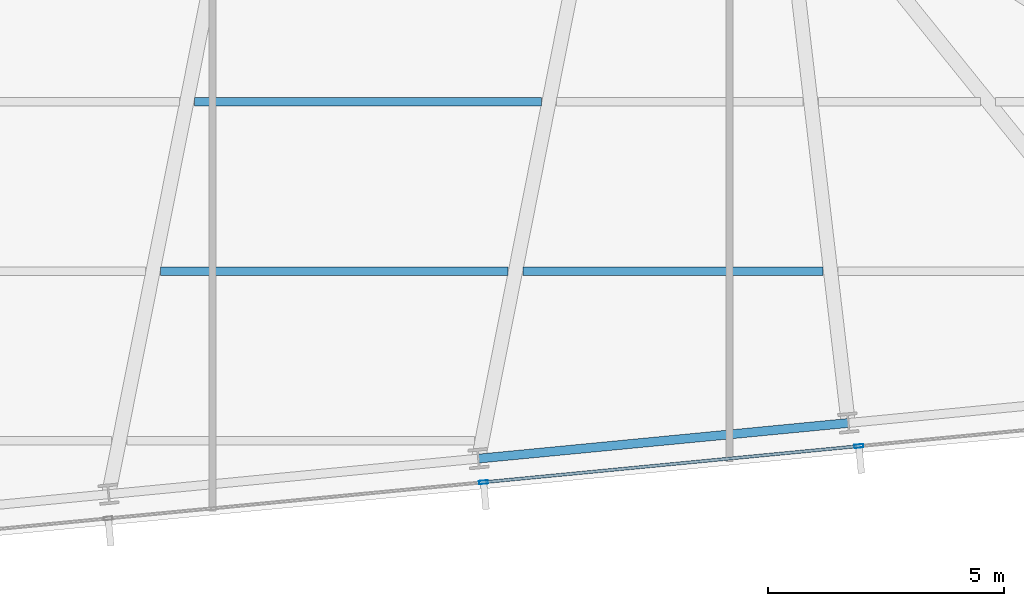
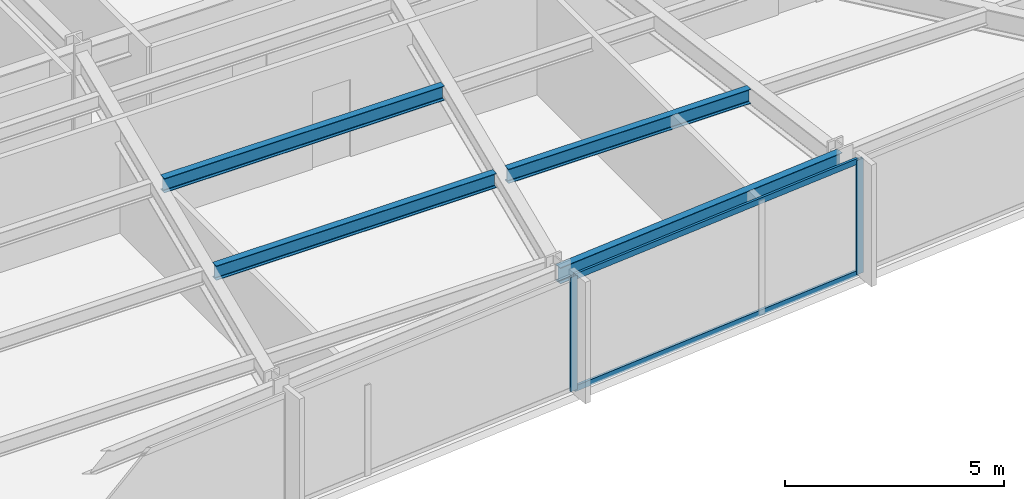
# One storey, part 10 of 32: 4 beams, 4 members, 1 element without a shape of its own.
"""IFC4 building model written with IfcOpenShell, lengths in metres."""

import ifcopenshell
import ifcopenshell.guid

model = None  # the IFC model being written
_history = None  # IfcOwnerHistory: only IFC2X3 demands one
_inside = {}  # id of a spatial element -> (the spatial element, [elements in it])
_under = {}  # id of a project, library or spatial element -> (it, [spatial elements below it])
_declared = {}  # id of a project -> (the project, [libraries it declares])
_typed = {}  # id of a type object -> (the type object, [elements of that type])
_made_of = {}  # id of a material, layer set ... -> (it, [elements and type objects made of it])


def new_model(schema):
    """Start an empty IFC model of exactly this schema.

    Asked for "IFC4X3", IfcOpenShell would pick the latest addendum, in which some entities
    have other attributes; the version numbers below select the first issue.
    IFC2X3 requires an IfcOwnerHistory on every rooted entity: one is made here for all.
    """
    global model, _history
    if schema == "IFC4X3":
        model = ifcopenshell.file(schema_version=(4, 3, 0, 0))
    else:
        model = ifcopenshell.file(schema=schema)
    _inside.clear()
    _under.clear()
    _declared.clear()
    _typed.clear()
    _made_of.clear()
    _history = None
    if model.schema == "IFC2X3":
        org = make("IfcOrganization", Name="unknown")
        user = make(
            "IfcPersonAndOrganization",
            ThePerson=make("IfcPerson", FamilyName="unknown"),
            TheOrganization=org,
        )
        app = make(
            "IfcApplication",
            ApplicationDeveloper=org,
            Version="unknown",
            ApplicationFullName="unknown",
            ApplicationIdentifier="unknown",
        )
        _history = make(
            "IfcOwnerHistory",
            OwningUser=user,
            OwningApplication=app,
            ChangeAction="ADDED",
            CreationDate=0,
        )
    return model


def make(cls, **values):
    """One entity of the class cls with the attributes given. An attribute that is None is left unset."""
    return model.create_entity(
        cls, **{name: value for name, value in values.items() if value is not None}
    )


def rooted(cls, **values):
    """An entity with a GlobalId (a new one), such as an element, a storey or a relation."""
    return make(cls, GlobalId=ifcopenshell.guid.new(), OwnerHistory=_history, **values)


def si_unit(unit_type, name, prefix=None):
    """IfcSIUnit, for example si_unit("LENGTHUNIT", "METRE", prefix="MILLI")."""
    return make("IfcSIUnit", UnitType=unit_type, Prefix=prefix, Name=name)


def assignment(units):
    """IfcUnitAssignment: the units of a project."""
    return None if units is None else make("IfcUnitAssignment", Units=units)


def point(xyz):
    """IfcCartesianPoint."""
    return None if xyz is None else make("IfcCartesianPoint", Coordinates=xyz)


def direction(xyz):
    """IfcDirection."""
    return None if xyz is None else make("IfcDirection", DirectionRatios=xyz)


def frame(location, z_axis=None, x_axis=None):
    """IfcAxis2Placement3D, a coordinate frame: its origin and axes. An axis left out is left unset."""
    return make(
        "IfcAxis2Placement3D",
        Location=point(location),
        Axis=direction(z_axis),
        RefDirection=direction(x_axis),
    )


def frame_2d(location, x_axis=None):
    """IfcAxis2Placement2D, a coordinate frame in the plane: its origin and x axis."""
    return make(
        "IfcAxis2Placement2D", Location=point(location), RefDirection=direction(x_axis)
    )


def origin():
    """The frame at (0, 0, 0) with its axes left unset."""
    return frame((0.0, 0.0, 0.0))


def origin_2d():
    """The frame at (0, 0) in the plane with its x axis left unset."""
    return frame_2d((0.0, 0.0))


def place(relative_to, where):
    """IfcLocalPlacement: puts the frame where relative to a parent placement (None: the world)."""
    return make(
        "IfcLocalPlacement", PlacementRelTo=relative_to, RelativePlacement=where
    )


def context(
    kind, dimensions, precision=None, world=None, true_north=None, identifier=None
):
    """IfcGeometricRepresentationContext, for example the 3D "Model" context."""
    return make(
        "IfcGeometricRepresentationContext",
        ContextIdentifier=identifier,
        ContextType=kind,
        CoordinateSpaceDimension=dimensions,
        Precision=precision,
        WorldCoordinateSystem=world,
        TrueNorth=true_north,
    )


def subcontext(parent, identifier, kind, view, scale=None):
    """IfcGeometricRepresentationSubContext, for example "Body" below "Model"."""
    return make(
        "IfcGeometricRepresentationSubContext",
        ContextIdentifier=identifier,
        ContextType=kind,
        ParentContext=parent,
        TargetScale=scale,
        TargetView=view,
    )


def project(units=None, contexts=None):
    """IfcProject with its units and contexts."""
    return rooted(
        "IfcProject",
        Name="project",
        RepresentationContexts=contexts,
        UnitsInContext=assignment(units),
    )


def spatial(cls, under=None, at=None, **own):
    """A site, building, storey or space (cls), placed at a placement, below another one or the project."""
    s = rooted(cls, ObjectPlacement=at, **own)
    if under is not None:
        _under.setdefault(under.id(), (under, []))[1].append(s)
    return s


def profile(cls, at=None, kind="AREA", **sizes):
    """A parametric profile (cls). Its sizes go by their IFC names, for example OverallWidth=200.0."""
    return make(cls, ProfileType=kind, Position=at, **sizes)


def hollow_rectangle(**sizes):
    """IfcRectangleHollowProfileDef."""
    return profile("IfcRectangleHollowProfileDef", **sizes)


def i_section(**sizes):
    """IfcIShapeProfileDef."""
    return profile("IfcIShapeProfileDef", **sizes)


def extrude(swept, where, along, depth):
    """IfcExtrudedAreaSolid: the profile swept, set in the frame where, extruded along a direction by depth."""
    return make(
        "IfcExtrudedAreaSolid",
        SweptArea=swept,
        Position=where,
        ExtrudedDirection=direction(along),
        Depth=depth,
    )


def shape(context_of_items, identifier, shape_type, items):
    """IfcShapeRepresentation: the items that make up one representation, for example the "Body"."""
    return make(
        "IfcShapeRepresentation",
        ContextOfItems=context_of_items,
        RepresentationIdentifier=identifier,
        RepresentationType=shape_type,
        Items=items,
    )


def material(Name=None, Category=None):
    """IfcMaterial."""
    return make("IfcMaterial", Name=Name, Category=Category)


def material_profile(
    of_material, cross_section, Name=None, Category=None, Priority=None
):
    """IfcMaterialProfile: a cross section and its material."""
    return make(
        "IfcMaterialProfile",
        Name=Name,
        Material=of_material,
        Profile=cross_section,
        Priority=Priority,
        Category=Category,
    )


def profile_set(profiles, Name=None, composite=None):
    """IfcMaterialProfileSet."""
    return make(
        "IfcMaterialProfileSet",
        Name=Name,
        MaterialProfiles=profiles,
        CompositeProfile=composite,
    )


def made_of(thing, what):
    """Note that an element or type object is made of a material, layer set ...; save() writes the relation."""
    if what is not None:
        _made_of.setdefault(what.id(), (what, []))[1].append(thing)
    return thing


def type_object(cls, material=None, **own):
    """A type object (cls), such as IfcWallType, which elements share."""
    return made_of(rooted(cls, **own), material)


def element(
    cls,
    number,
    at=None,
    inside=None,
    cuts=None,
    type_object=None,
    material=None,
    context=None,
    identifier="Body",
    shape_type=None,
    held_by="IfcProductDefinitionShape",
    body=None,
    shapes=None,
    **own,
):
    """One element of the class cls, such as IfcWall. Its Tag is "e" and its number.

    at: its placement. inside: the storey or other place that contains it. cuts: it is an
    opening in that element (IfcRelVoidsElement). A single representation is given by context,
    identifier, shape_type and body (its items); several are given by shapes. held_by: the class
    of the entity that holds the representations. save() writes the other relations.
    """
    e = rooted(cls, Tag="e%d" % number, ObjectPlacement=at, **own)
    if body is not None:
        shapes = [shape(context, identifier, shape_type, body)]
    if shapes is not None:
        e.Representation = make(held_by, Representations=shapes)
    if inside is not None:
        _inside.setdefault(inside.id(), (inside, []))[1].append(e)
    if cuts is not None:
        rooted(
            "IfcRelVoidsElement", RelatingBuildingElement=cuts, RelatedOpeningElement=e
        )
    if type_object is not None:
        _typed.setdefault(type_object.id(), (type_object, []))[1].append(e)
    return made_of(e, material)


def aggregate(whole, parts):
    """IfcRelAggregates: a whole, such as a stair, and the parts it consists of."""
    return rooted("IfcRelAggregates", RelatingObject=whole, RelatedObjects=parts)


def save(model, path):
    """Write the relations noted so far, then the file.

    IfcRelAggregates (storeys below a building ...), IfcRelContainedInSpatialStructure (elements
    in a storey), IfcRelDefinesByType, IfcRelAssociatesMaterial and IfcRelDeclares: one each for
    every whole, place, type object, material and project.
    """
    for whole, parts in _under.values():
        aggregate(whole, parts)
    for where, things in _inside.values():
        rooted(
            "IfcRelContainedInSpatialStructure",
            RelatedElements=things,
            RelatingStructure=where,
        )
    for kind, things in _typed.values():
        rooted("IfcRelDefinesByType", RelatedObjects=things, RelatingType=kind)
    for what, things in _made_of.values():
        rooted("IfcRelAssociatesMaterial", RelatedObjects=things, RelatingMaterial=what)
    for by, libraries in _declared.values():
        rooted("IfcRelDeclares", RelatingContext=by, RelatedDefinitions=libraries)
    model.write(path)


model = new_model("IFC4")

# Units and contexts
model_context = context("Model", 3, precision=1e-05, world=origin(), true_north=direction((0.0, 1.0)))
body_context = subcontext(model_context, "Body", "Model", "MODEL_VIEW")
ifc_project = project(units=[si_unit("LENGTHUNIT", "METRE"), si_unit("AREAUNIT", "SQUARE_METRE"), si_unit("VOLUMEUNIT", "CUBIC_METRE"), si_unit("PLANEANGLEUNIT", "RADIAN"), si_unit("MASSUNIT", "GRAM", prefix="KILO")], contexts=[model_context])

# Site, building, storey
site_placement = place(None, origin())
site = spatial("IfcSite", under=ifc_project, at=site_placement, CompositionType="ELEMENT")
building_placement = place(site_placement, origin())
building = spatial("IfcBuilding", under=site, at=building_placement, Name="Yelkora Congress Tower", CompositionType="ELEMENT")
storey_placement = place(building_placement, frame((0.0, 0.0, 99.89990234375)))
storey = spatial("IfcBuildingStorey", under=building, at=storey_placement, Name="L26", CompositionType="ELEMENT", Elevation=99.89990234375)

# Beams
ifc_material_1 = material(Name="Steel S355J2", Category="steel")
ifc_material_profile_1 = material_profile(ifc_material_1, i_section(OverallWidth=0.179931640625, OverallDepth=0.39990234375, WebThickness=0.008544921875, FlangeThickness=0.013427734375, FilletRadius=0.02099609375, at=origin_2d()), Name="IPE 400")
ifc_profile_set_1 = profile_set([ifc_material_profile_1], Name="Steel S355J2")
beam_type_1 = type_object("IfcBeamType", Name="BM-JOIST-IPE400", PredefinedType="JOIST", material=ifc_profile_set_1)
beam_1_placement = place(storey_placement, frame((44.436767578125, 16.144287109375, 2.97998046875), z_axis=(1.0, 0.0, 0.0), x_axis=(0.0, 1.0, 0.0)))
element("IfcBeam", 1, at=beam_1_placement, inside=storey, type_object=beam_type_1, Name="L26 Composite Floor Joist 7", PredefinedType="JOIST", context=body_context, shape_type="SweptSolid", body=[
    extrude(i_section(OverallWidth=0.179931640625, OverallDepth=0.39990234375, WebThickness=0.008544921875, FlangeThickness=0.013427734375, FilletRadius=0.02099609375, at=origin_2d()), origin(), (0.0, 0.0, 1.0), 7.373046875),
])
beam_2_placement = place(storey_placement, frame((52.1298828125, 16.144287109375, 2.97998046875), z_axis=(1.0, 0.0, 0.0), x_axis=(0.0, 1.0, 0.0)))
element("IfcBeam", 2, at=beam_2_placement, inside=storey, type_object=beam_type_1, Name="L26 Composite Floor Joist 8", PredefinedType="JOIST", context=body_context, shape_type="SweptSolid", body=[
    extrude(i_section(OverallWidth=0.179931640625, OverallDepth=0.39990234375, WebThickness=0.008544921875, FlangeThickness=0.013427734375, FilletRadius=0.02099609375, at=origin_2d()), origin(), (0.0, 0.0, 1.0), 6.3671875),
])
beam_3_placement = place(storey_placement, frame((45.153564453125, 19.744384765625, 2.97998046875), z_axis=(1.0, 0.0, 0.0), x_axis=(0.0, 1.0, 0.0)))
element("IfcBeam", 3, at=beam_3_placement, inside=storey, type_object=beam_type_1, Name="L26 Composite Floor Joist 14", PredefinedType="JOIST", context=body_context, shape_type="SweptSolid", body=[
    extrude(i_section(OverallWidth=0.179931640625, OverallDepth=0.39990234375, WebThickness=0.008544921875, FlangeThickness=0.013427734375, FilletRadius=0.02099609375, at=origin_2d()), origin(), (0.0, 0.0, 1.0), 7.367919921875),
])
ifc_material_profile_2 = material_profile(ifc_material_1, i_section(OverallWidth=0.18994140625, OverallDepth=0.449951171875, WebThickness=0.009521484375, FlangeThickness=0.0146484375, FilletRadius=0.02099609375, at=origin_2d()), Name="IPE 450")
ifc_profile_set_2 = profile_set([ifc_material_profile_2], Name="Steel S355J2")
beam_type_2 = type_object("IfcBeamType", Name="BM-SPAN-IPE450", PredefinedType="SPANDREL", material=ifc_profile_set_2)
beam_4_placement = place(storey_placement, frame((51.18359375, 12.16748046875, 2.955078125), z_axis=(0.995395860104, 0.095849265454, 0.0), x_axis=(-0.095849265454, 0.995395860104, 0.0)))
element("IfcBeam", 4, at=beam_4_placement, inside=storey, type_object=beam_type_2, Name="L26 Perimeter Beam 7", PredefinedType="SPANDREL", context=body_context, shape_type="SweptSolid", body=[
    extrude(i_section(OverallWidth=0.18994140625, OverallDepth=0.449951171875, WebThickness=0.009521484375, FlangeThickness=0.0146484375, FilletRadius=0.02099609375, at=origin_2d()), origin(), (0.0, 0.0, 1.0), 7.885986328125),
])

# Curtain wall, members
ifc_material_2 = material(Name="Anodised aluminium and insulated glass", Category="aluminium")
curtain_wall_type = type_object("IfcCurtainWallType", Name="CW-SYS-B2", PredefinedType="NOTDEFINED", material=ifc_material_2)
curtain_wall_placement = place(storey_placement, origin())
curtain_wall = element("IfcCurtainWall", 5, at=curtain_wall_placement, inside=storey, type_object=curtain_wall_type, Name="L26 Unitised Curtain Wall 20", PredefinedType="NOTDEFINED")
ifc_material_3 = material(Name="Anodised aluminium 6063-T6", Category="aluminium")
ifc_material_profile_3 = material_profile(ifc_material_3, hollow_rectangle(XDim=0.070068359375, YDim=0.18994140625, WallThickness=0.00390625, at=origin_2d()), Name="ALU 70x190x4")
ifc_profile_set_3 = profile_set([ifc_material_profile_3], Name="Anodised aluminium 6063-T6")
member_type_1 = type_object("IfcMemberType", Name="MEM-ML-B2", PredefinedType="MULLION", material=ifc_profile_set_3)
member_1_placement = place(storey_placement, frame((59.2568359375, 12.4326171875, 0.0), z_axis=(0.0, 0.0, 1.0), x_axis=(0.095844345816, -0.995396333816, 0.0)))
member_1 = element("IfcMember", 6, at=member_1_placement, type_object=member_type_1, Name="CW-B2 mullion 3", PredefinedType="MULLION", context=body_context, shape_type="SweptSolid", body=[
    extrude(hollow_rectangle(XDim=0.070068359375, YDim=0.18994140625, WallThickness=0.00390625, at=origin_2d()), origin(), (0.0, 0.0, 1.0), 3.18017578125),
])
member_2_placement = place(storey_placement, frame((51.290771484375, 11.66552734375, 0.0), z_axis=(0.0, 0.0, 1.0), x_axis=(0.095844345816, -0.995396333816, 0.0)))
member_2 = element("IfcMember", 7, at=member_2_placement, type_object=member_type_1, Name="CW-B2 mullion 4", PredefinedType="MULLION", context=body_context, shape_type="SweptSolid", body=[
    extrude(hollow_rectangle(XDim=0.070068359375, YDim=0.18994140625, WallThickness=0.00390625, at=origin_2d()), origin(), (0.0, 0.0, 1.0), 3.18017578125),
])
ifc_material_profile_4 = material_profile(ifc_material_3, hollow_rectangle(XDim=0.06494140625, YDim=0.159912109375, WallThickness=0.00390625, at=origin_2d()), Name="ALU 65x160x4")
ifc_profile_set_4 = profile_set([ifc_material_profile_4], Name="Anodised aluminium 6063-T6")
member_type_2 = type_object("IfcMemberType", Name="MEM-TR-B2", PredefinedType="USERDEFINED", material=ifc_profile_set_4)
member_3_placement = place(storey_placement, frame((59.221923828125, 12.42919921875, 0.03271484375), z_axis=(-0.995397010735, -0.095837315383, 0.0), x_axis=(0.095837315383, -0.995397010735, 0.0)))
member_3 = element("IfcMember", 8, at=member_3_placement, type_object=member_type_2, Name="CW-B2 transom 3.1", ObjectType="TRANSOM", PredefinedType="USERDEFINED", context=body_context, shape_type="SweptSolid", body=[
    extrude(hollow_rectangle(XDim=0.06494140625, YDim=0.159912109375, WallThickness=0.00390625, at=origin_2d()), origin(), (0.0, 0.0, 1.0), 7.932861328125),
])
member_4_placement = place(storey_placement, frame((59.221923828125, 12.42919921875, 3.147705078125), z_axis=(-0.995397010735, -0.095837315383, 0.0), x_axis=(0.095837315383, -0.995397010735, 0.0)))
member_4 = element("IfcMember", 9, at=member_4_placement, type_object=member_type_2, Name="CW-B2 transom 3.2", ObjectType="TRANSOM", PredefinedType="USERDEFINED", context=body_context, shape_type="SweptSolid", body=[
    extrude(hollow_rectangle(XDim=0.06494140625, YDim=0.159912109375, WallThickness=0.00390625, at=origin_2d()), origin(), (0.0, 0.0, 1.0), 7.932861328125),
])
aggregate(curtain_wall, [member_1, member_2, member_3, member_4])

save(model, "model.ifc")
